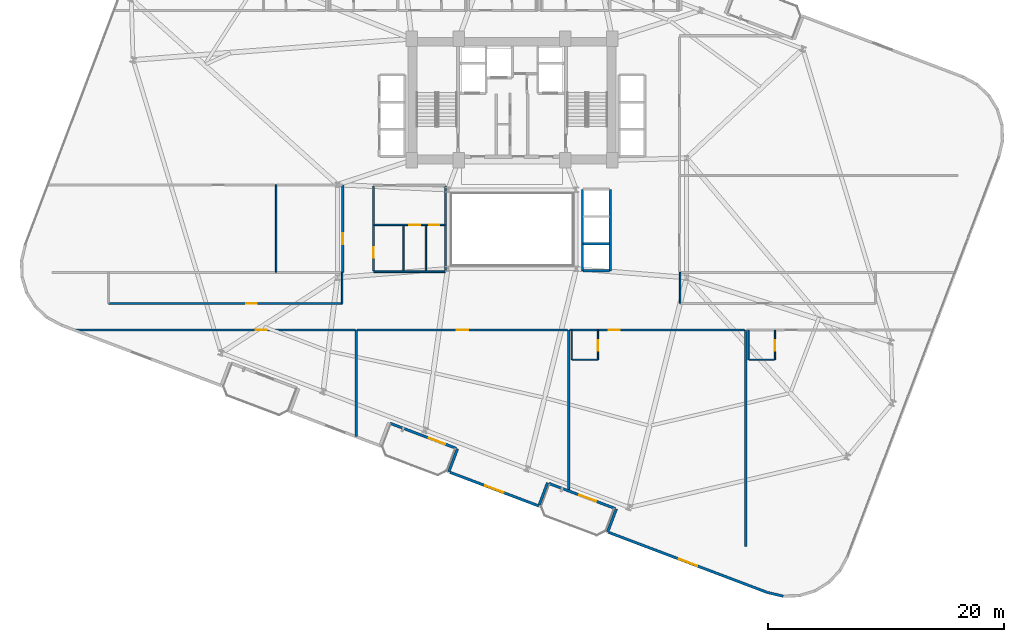
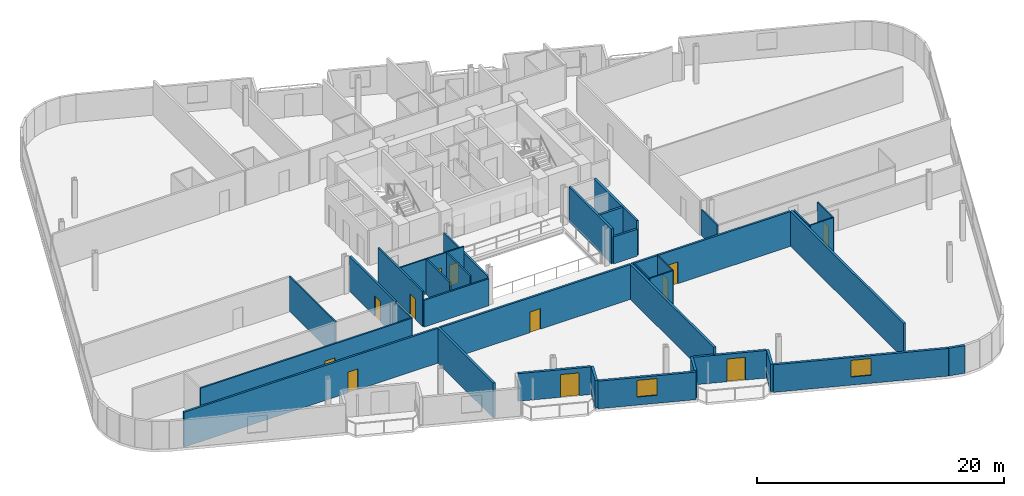
# One storey, part 17 of 24: 35 walls, 12 doors, 2 windows, 14 openings.
"""IFC4 building model written with IfcOpenShell, lengths in metres."""

from ifc_helpers import new_model, si_unit, direction, frame, frame_2d, origin, place, context, subcontext, project, spatial, rectangle, extrude, material, layer, layer_set, type_object, element, fill, save


model = new_model("IFC4")

# Units and contexts
model_context = context("Model", 3, precision=1e-05, world=origin(), true_north=direction((0.0, 1.0)))
body_context = subcontext(model_context, "Body", "Model", "MODEL_VIEW")
ifc_project = project(units=[si_unit("LENGTHUNIT", "METRE"), si_unit("AREAUNIT", "SQUARE_METRE"), si_unit("VOLUMEUNIT", "CUBIC_METRE"), si_unit("PLANEANGLEUNIT", "RADIAN"), si_unit("MASSUNIT", "GRAM", prefix="KILO")], contexts=[model_context])

# Site, building, storey
site_placement = place(None, origin())
site = spatial("IfcSite", under=ifc_project, at=site_placement, CompositionType="ELEMENT")
building_placement = place(site_placement, origin())
building = spatial("IfcBuilding", under=site, at=building_placement, Name="Varnelok Gate Tower", CompositionType="ELEMENT")
storey_placement = place(building_placement, frame((0.0, 0.0, 94.699951171875)))
storey = spatial("IfcBuildingStorey", under=building, at=storey_placement, Name="L23", CompositionType="ELEMENT", Elevation=94.699951171875)

# Wall, opening, door
ifc_material_1 = material(Name="Concrete C45/55", Category="concrete")
ifc_layer_1 = layer(ifc_material_1, 0.219970703125)
ifc_layer_set_1 = layer_set([ifc_layer_1], Name="Concrete C45/55")
wall_type_1 = type_object("IfcWallType", Name="EW-BALC-220", PredefinedType="SOLIDWALL", material=ifc_layer_set_1)
wall_1_placement = place(storey_placement, frame((34.4677734375, 4.326904296875, 0.0), z_axis=(0.0, 0.0, 1.0), x_axis=(-0.9352192676, 0.354069091436, 0.0)))
wall_1 = element("IfcWall", 1, at=wall_1_placement, inside=storey, type_object=wall_type_1, Name="L23 South Terrace Envelope Wall 2", PredefinedType="SOLIDWALL", context=body_context, shape_type="SweptSolid", body=[
    extrude(rectangle(XDim=6.000244140625, YDim=0.219970703125, at=frame_2d((3.0, 0.0))), origin(), (0.0, 0.0, 1.0), 2.72998046875),
])
opening_1_placement = place(wall_1_placement, frame((0.991943359375, 0.0, 0.0)))
opening_1 = element("IfcOpeningElement", 2, at=opening_1_placement, cuts=wall_1, Name="Opening BD-1", PredefinedType="OPENING", context=body_context, shape_type="SweptSolid", body=[
    extrude(rectangle(XDim=1.5, YDim=2.25, at=frame_2d((0.75, 1.125))), frame((0.0, 0.119873046875, 0.0), z_axis=(0.0, -1.0, 0.0), x_axis=(1.0, 0.0, 0.0)), (0.0, 0.0, 1.0), 0.239990234375),
])
ifc_material_2 = material(Name="Anodized Aluminum Alloy 6063-T6", Category="aluminium")
door_type_1 = type_object("IfcDoorType", Name="DR-EXT-BALC1500", OperationType="NOTDEFINED", PredefinedType="DOOR", material=ifc_material_2)
door_1_placement = place(opening_1_placement, origin())
door_1 = element("IfcDoor", 3, at=door_1_placement, inside=storey, type_object=door_type_1, Name="L23 South Balcony Glazed Door 2", OperationType="SINGLE_SWING_LEFT", OverallHeight=2.25, OverallWidth=1.5, PredefinedType="DOOR", context=body_context, shape_type="SweptSolid", body=[
    extrude(rectangle(XDim=1.5, YDim=2.25, at=frame_2d((0.75, 1.125))), frame((0.0, 0.02490234375, 0.0), z_axis=(0.0, -1.0, 0.0), x_axis=(1.0, 0.0, 0.0)), (0.0, 0.0, 1.0), 0.050048828125),
])
fill(opening_1, door_1)

wall_2_placement = place(storey_placement, frame((47.934814453125, -0.771484375, 0.0), z_axis=(0.0, 0.0, 1.0), x_axis=(-0.935227640088, 0.354046976001, 0.0)))
wall_2 = element("IfcWall", 4, at=wall_2_placement, inside=storey, type_object=wall_type_1, Name="L23 South Terrace Envelope Wall 3", PredefinedType="SOLIDWALL", context=body_context, shape_type="SweptSolid", body=[
    extrude(rectangle(XDim=6.0, YDim=0.219970703125, at=frame_2d((3.0, 0.0))), origin(), (0.0, 0.0, 1.0), 2.72998046875),
])
opening_2_placement = place(wall_2_placement, frame((1.73193359375, 0.0, 0.0)))
opening_2 = element("IfcOpeningElement", 5, at=opening_2_placement, cuts=wall_2, Name="Opening BD-1", PredefinedType="OPENING", context=body_context, shape_type="SweptSolid", body=[
    extrude(rectangle(XDim=1.5, YDim=2.25, at=frame_2d((0.75, 1.125))), frame((0.0, 0.119873046875, 0.0), z_axis=(0.0, -1.0, 0.0), x_axis=(1.0, 0.0, 0.0)), (0.0, 0.0, 1.0), 0.239990234375),
])
door_2_placement = place(opening_2_placement, origin())
door_2 = element("IfcDoor", 6, at=door_2_placement, inside=storey, type_object=door_type_1, Name="L23 South Balcony Glazed Door 3", OperationType="SINGLE_SWING_RIGHT", OverallHeight=2.25, OverallWidth=1.5, PredefinedType="DOOR", context=body_context, shape_type="SweptSolid", body=[
    extrude(rectangle(XDim=1.5, YDim=2.25, at=frame_2d((0.75, 1.125))), frame((0.0, 0.02490234375, 0.0), z_axis=(0.0, -1.0, 0.0), x_axis=(1.0, 0.0, 0.0)), (0.0, 0.0, 1.0), 0.050048828125),
])
fill(opening_2, door_2)

# Wall
wall_3_placement = place(storey_placement, frame((34.58349609375, 4.293701171875, 0.0), z_axis=(0.0, 0.0, 1.0), x_axis=(-0.354128469405, -0.935196785258, 0.0)))
element("IfcWall", 7, at=wall_3_placement, inside=storey, type_object=wall_type_1, Name="L23 Perimeter Facade Closure Wall 12", PredefinedType="SOLIDWALL", context=body_context, shape_type="SweptSolid", body=[
    extrude(rectangle(XDim=2.099853515625, YDim=0.219970703125, at=frame_2d((1.0498046875, 0.0))), origin(), (0.0, 0.0, 1.0), 2.72998046875),
])

# Wall, opening, window
wall_4_placement = place(storey_placement, frame((33.956787109375, 2.28564453125, 0.0), z_axis=(0.0, 0.0, 1.0), x_axis=(0.935220736163, -0.354065212427, 0.0)))
wall_4 = element("IfcWall", 8, at=wall_4_placement, inside=storey, type_object=wall_type_1, Name="L23 Perimeter Facade Closure Wall 13", PredefinedType="SOLIDWALL", context=body_context, shape_type="SweptSolid", body=[
    extrude(rectangle(XDim=8.03515625, YDim=0.219970703125, at=frame_2d((4.017578125, 0.0))), origin(), (0.0, 0.0, 1.0), 2.72998046875),
])
opening_3_placement = place(wall_4_placement, frame((3.1923828125, 0.0, 0.800048828125)))
opening_3 = element("IfcOpeningElement", 9, at=opening_3_placement, cuts=wall_4, Name="Opening WN3", PredefinedType="OPENING", context=body_context, shape_type="SweptSolid", body=[
    extrude(rectangle(XDim=1.64990234375, YDim=1.64990234375, at=frame_2d((0.824951171875, 0.824951171875))), frame((0.0, 0.119873046875, 0.0), z_axis=(0.0, -1.0, 0.0), x_axis=(1.0, 0.0, 0.0)), (0.0, 0.0, 1.0), 0.239990234375),
])
ifc_material_3 = material(Name="Low-E Laminated Double Glazing IGU", Category="glass")
window_type = type_object("IfcWindowType", Name="WN-HTL-1650", PartitioningType="SINGLE_PANEL", PredefinedType="WINDOW", material=ifc_material_3)
window_1_placement = place(opening_3_placement, origin())
window_1 = element("IfcWindow", 10, at=window_1_placement, inside=storey, type_object=window_type, Name="L23 Perimeter Vision Window 13", OverallHeight=1.64990234375, OverallWidth=1.64990234375, PartitioningType="SINGLE_PANEL", PredefinedType="WINDOW", context=body_context, shape_type="SweptSolid", body=[
    extrude(rectangle(XDim=1.64990234375, YDim=1.64990234375, at=frame_2d((0.824951171875, 0.824951171875))), frame((0.0, 0.030029296875, 0.0), z_axis=(0.0, -1.0, 0.0), x_axis=(1.0, 0.0, 0.0)), (0.0, 0.0, 1.0), 0.06005859375),
])
fill(opening_3, window_1)

# Walls
wall_5_placement = place(storey_placement, frame((41.515625, -0.4423828125, 0.0), z_axis=(0.0, 0.0, 1.0), x_axis=(0.354061611705, 0.935222099352, 0.0)))
element("IfcWall", 11, at=wall_5_placement, inside=storey, type_object=wall_type_1, Name="L23 Perimeter Facade Closure Wall 14", PredefinedType="SOLIDWALL", context=body_context, shape_type="SweptSolid", body=[
    extrude(rectangle(XDim=1.974853515625, YDim=0.219970703125, at=frame_2d((0.9873046875, 0.0))), origin(), (0.0, 0.0, 1.0), 2.72998046875),
])
wall_6_placement = place(storey_placement, frame((48.050537109375, -0.8046875, 0.0), z_axis=(0.0, 0.0, 1.0), x_axis=(-0.353988291547, -0.935249854022, 0.0)))
element("IfcWall", 12, at=wall_6_placement, inside=storey, type_object=wall_type_1, Name="L23 Perimeter Facade Closure Wall 15", PredefinedType="SOLIDWALL", context=body_context, shape_type="SweptSolid", body=[
    extrude(rectangle(XDim=2.10009765625, YDim=0.219970703125, at=frame_2d((1.050048828125, 0.0))), origin(), (0.0, 0.0, 1.0), 2.72998046875),
])

# Wall, opening, window
wall_7_placement = place(storey_placement, frame((47.424072265625, -2.81298828125, 0.0), z_axis=(0.0, 0.0, 1.0), x_axis=(0.935225962032, -0.354051408614, 0.0)))
wall_7 = element("IfcWall", 13, at=wall_7_placement, inside=storey, type_object=wall_type_1, Name="L23 Perimeter Facade Closure Wall 16", PredefinedType="SOLIDWALL", context=body_context, shape_type="SweptSolid", body=[
    extrude(rectangle(XDim=14.346923828125, YDim=0.219970703125, at=frame_2d((7.17333984375, 0.0))), origin(), (0.0, 0.0, 1.0), 2.72998046875),
])
opening_4_placement = place(wall_7_placement, frame((6.348388671875, 0.0, 0.800048828125)))
opening_4 = element("IfcOpeningElement", 14, at=opening_4_placement, cuts=wall_7, Name="Opening WN3", PredefinedType="OPENING", context=body_context, shape_type="SweptSolid", body=[
    extrude(rectangle(XDim=1.64990234375, YDim=1.64990234375, at=frame_2d((0.824951171875, 0.824951171875))), frame((0.0, 0.119873046875, 0.0), z_axis=(0.0, -1.0, 0.0), x_axis=(1.0, 0.0, 0.0)), (0.0, 0.0, 1.0), 0.239990234375),
])
window_2_placement = place(opening_4_placement, origin())
window_2 = element("IfcWindow", 15, at=window_2_placement, inside=storey, type_object=window_type, Name="L23 Perimeter Vision Window 16", OverallHeight=1.64990234375, OverallWidth=1.64990234375, PartitioningType="SINGLE_PANEL", PredefinedType="WINDOW", context=body_context, shape_type="SweptSolid", body=[
    extrude(rectangle(XDim=1.64990234375, YDim=1.64990234375, at=frame_2d((0.824951171875, 0.824951171875))), frame((0.0, 0.030029296875, 0.0), z_axis=(0.0, -1.0, 0.0), x_axis=(1.0, 0.0, 0.0)), (0.0, 0.0, 1.0), 0.06005859375),
])
fill(opening_4, window_2)

# Wall
wall_8_placement = place(storey_placement, frame((60.8662109375, -7.8984375, 0.0), z_axis=(0.0, 0.0, 1.0), x_axis=(0.973405403345, -0.229089329169, 0.0)))
element("IfcWall", 16, at=wall_8_placement, inside=storey, type_object=wall_type_1, Name="L23 Perimeter Facade Closure Wall 17", PredefinedType="SOLIDWALL", context=body_context, shape_type="SweptSolid", body=[
    extrude(rectangle(XDim=1.36083984375, YDim=0.219970703125, at=frame_2d((0.680419921875, 0.0))), origin(), (0.0, 0.0, 1.0), 2.72998046875),
])

# Wall, opening, door
ifc_material_4 = material(Name="Gypsum Plasterboard Acoustic Partition", Category="gypsum")
ifc_layer_2 = layer(ifc_material_4, 0.179931640625)
ifc_layer_set_2 = layer_set([ifc_layer_2], Name="Gypsum Plasterboard Acoustic Partition")
wall_type_2 = type_object("IfcWallType", Name="PW-CORR-180", PredefinedType="PARTITIONING", material=ifc_layer_set_2)
wall_9_placement = place(storey_placement, frame((2.146240234375, 14.35009765625, 0.0), z_axis=(0.0, 0.0, 1.0), x_axis=(1.0, 0.0, 0.0)))
wall_9 = element("IfcWall", 17, at=wall_9_placement, inside=storey, type_object=wall_type_2, Name="Interior Partition", PredefinedType="PARTITIONING", context=body_context, shape_type="SweptSolid", body=[
    extrude(rectangle(XDim=23.773681640625, YDim=0.179931640625, at=frame_2d((11.88671875, 0.0))), origin(), (0.0, 0.0, 1.0), 3.449951171875),
])
opening_5_placement = place(wall_9_placement, frame((15.32861328125, 0.0, 0.0)))
opening_5 = element("IfcOpeningElement", 18, at=opening_5_placement, cuts=wall_9, Name="Opening D-I2", PredefinedType="OPENING", context=body_context, shape_type="SweptSolid", body=[
    extrude(rectangle(XDim=0.949951171875, YDim=2.050048828125, at=frame_2d((0.47509765625, 1.02490234375))), frame((0.0, 0.099853515625, 0.0), z_axis=(0.0, -1.0, 0.0), x_axis=(1.0, 0.0, 0.0)), (0.0, 0.0, 1.0), 0.199951171875),
])
ifc_material_5 = material(Name="Engineered Hardwood Timber", Category="wood")
door_type_2 = type_object("IfcDoorType", Name="DR-INT-950", OperationType="NOTDEFINED", PredefinedType="DOOR", material=ifc_material_5)
door_3_placement = place(opening_5_placement, origin())
door_3 = element("IfcDoor", 19, at=door_3_placement, inside=storey, type_object=door_type_2, Name="L23 Hotel Business Center Door", OperationType="SINGLE_SWING_LEFT", OverallHeight=2.050048828125, OverallWidth=0.949951171875, PredefinedType="DOOR", context=body_context, shape_type="SweptSolid", body=[
    extrude(rectangle(XDim=0.949951171875, YDim=2.050048828125, at=frame_2d((0.47509765625, 1.02490234375))), frame((0.0, 0.02490234375, 0.0), z_axis=(0.0, -1.0, 0.0), x_axis=(1.0, 0.0, 0.0)), (0.0, 0.0, 1.0), 0.050048828125),
])
fill(opening_5, door_3)

wall_10_placement = place(storey_placement, frame((26.080078125, 14.35009765625, 0.0), z_axis=(0.0, 0.0, 1.0), x_axis=(1.0, 0.0, 0.0)))
wall_10 = element("IfcWall", 20, at=wall_10_placement, inside=storey, type_object=wall_type_2, Name="Interior Partition", PredefinedType="PARTITIONING", context=body_context, shape_type="SweptSolid", body=[
    extrude(rectangle(XDim=17.83984375, YDim=0.179931640625, at=frame_2d((8.919921875, 0.0))), origin(), (0.0, 0.0, 1.0), 3.449951171875),
])
opening_6_placement = place(wall_10_placement, frame((8.445068359375, 0.0, 0.0)))
opening_6 = element("IfcOpeningElement", 21, at=opening_6_placement, cuts=wall_10, Name="Opening D-I2", PredefinedType="OPENING", context=body_context, shape_type="SweptSolid", body=[
    extrude(rectangle(XDim=0.949951171875, YDim=2.050048828125, at=frame_2d((0.47509765625, 1.02490234375))), frame((0.0, 0.099853515625, 0.0), z_axis=(0.0, -1.0, 0.0), x_axis=(1.0, 0.0, 0.0)), (0.0, 0.0, 1.0), 0.199951171875),
])
door_4_placement = place(opening_6_placement, origin())
door_4 = element("IfcDoor", 22, at=door_4_placement, inside=storey, type_object=door_type_2, Name="L23 Executive Business Office 1 Door", OperationType="SINGLE_SWING_LEFT", OverallHeight=2.050048828125, OverallWidth=0.949951171875, PredefinedType="DOOR", context=body_context, shape_type="SweptSolid", body=[
    extrude(rectangle(XDim=0.949951171875, YDim=2.050048828125, at=frame_2d((0.47509765625, 1.02490234375))), frame((0.0, 0.02490234375, 0.0), z_axis=(0.0, -1.0, 0.0), x_axis=(1.0, 0.0, 0.0)), (0.0, 0.0, 1.0), 0.050048828125),
])
fill(opening_6, door_4)

wall_11_placement = place(storey_placement, frame((44.080078125, 14.35009765625, 0.0), z_axis=(0.0, 0.0, 1.0), x_axis=(1.0, 0.0, 0.0)))
wall_11 = element("IfcWall", 23, at=wall_11_placement, inside=storey, type_object=wall_type_2, Name="Interior Partition", PredefinedType="PARTITIONING", context=body_context, shape_type="SweptSolid", body=[
    extrude(rectangle(XDim=14.83984375, YDim=0.179931640625, at=frame_2d((7.419921875, 0.0))), origin(), (0.0, 0.0, 1.0), 3.449951171875),
])
opening_7_placement = place(wall_11_placement, frame((3.323486328125, 0.0, 0.0)))
opening_7 = element("IfcOpeningElement", 24, at=opening_7_placement, cuts=wall_11, Name="Opening D-HT", PredefinedType="OPENING", context=body_context, shape_type="SweptSolid", body=[
    extrude(rectangle(XDim=0.949951171875, YDim=2.14990234375, at=frame_2d((0.47509765625, 1.074951171875))), frame((0.0, 0.099853515625, 0.0), z_axis=(0.0, -1.0, 0.0), x_axis=(1.0, 0.0, 0.0)), (0.0, 0.0, 1.0), 0.199951171875),
])
door_type_3 = type_object("IfcDoorType", Name="DR-HTL-950", OperationType="NOTDEFINED", PredefinedType="DOOR", material=ifc_material_5)
door_5_placement = place(opening_7_placement, origin())
door_5 = element("IfcDoor", 25, at=door_5_placement, inside=storey, type_object=door_type_3, Name="L23 Guest Room 03 Entrance Door", OperationType="SINGLE_SWING_RIGHT", OverallHeight=2.14990234375, OverallWidth=0.949951171875, PredefinedType="DOOR", context=body_context, shape_type="SweptSolid", body=[
    extrude(rectangle(XDim=0.949951171875, YDim=2.14990234375, at=frame_2d((0.47509765625, 1.074951171875))), frame((0.0, 0.02490234375, 0.0), z_axis=(0.0, -1.0, 0.0), x_axis=(1.0, 0.0, 0.0)), (0.0, 0.0, 1.0), 0.050048828125),
])
fill(opening_7, door_5)

wall_12_placement = place(storey_placement, frame((24.85009765625, 19.239990234375, 0.0), z_axis=(0.0, 0.0, 1.0), x_axis=(0.0, 1.0, 0.0)))
wall_12 = element("IfcWall", 26, at=wall_12_placement, inside=storey, type_object=wall_type_2, Name="Interior Partition", PredefinedType="PARTITIONING", context=body_context, shape_type="SweptSolid", body=[
    extrude(rectangle(XDim=7.419921875, YDim=0.179931640625, at=frame_2d((3.7099609375, 0.0))), origin(), (0.0, 0.0, 1.0), 3.449951171875),
])
opening_8_placement = place(wall_12_placement, frame((2.39990234375, 0.0, 0.0)))
opening_8 = element("IfcOpeningElement", 27, at=opening_8_placement, cuts=wall_12, Name="Opening D-I3", PredefinedType="OPENING", context=body_context, shape_type="SweptSolid", body=[
    extrude(rectangle(XDim=0.919921875, YDim=2.050048828125, at=frame_2d((0.4599609375, 1.02490234375))), frame((0.0, 0.099853515625, 0.0), z_axis=(0.0, -1.0, 0.0), x_axis=(1.0, 0.0, 0.0)), (0.0, 0.0, 1.0), 0.199951171875),
])
door_type_4 = type_object("IfcDoorType", Name="DR-INT-920", OperationType="NOTDEFINED", PredefinedType="DOOR", material=ifc_material_5)
door_6_placement = place(opening_8_placement, origin())
door_6 = element("IfcDoor", 28, at=door_6_placement, inside=storey, type_object=door_type_4, Name="L23 West Playroom Door", OperationType="SINGLE_SWING_LEFT", OverallHeight=2.050048828125, OverallWidth=0.919921875, PredefinedType="DOOR", context=body_context, shape_type="SweptSolid", body=[
    extrude(rectangle(XDim=0.919921875, YDim=2.050048828125, at=frame_2d((0.4599609375, 1.02490234375))), frame((0.0, 0.02490234375, 0.0), z_axis=(0.0, -1.0, 0.0), x_axis=(1.0, 0.0, 0.0)), (0.0, 0.0, 1.0), 0.050048828125),
])
fill(opening_8, door_6)

# Wall
ifc_layer_3 = layer(ifc_material_4, 0.114990234375)
ifc_layer_set_3 = layer_set([ifc_layer_3], Name="Gypsum Plasterboard Acoustic Partition")
wall_type_3 = type_object("IfcWallType", Name="PW-ENS-125", PredefinedType="PARTITIONING", material=ifc_layer_set_3)
wall_13_placement = place(storey_placement, frame((44.300048828125, 11.830078125, 0.0), z_axis=(0.0, 0.0, 1.0), x_axis=(1.0, 0.0, 0.0)))
element("IfcWall", 29, at=wall_13_placement, inside=storey, type_object=wall_type_3, Name="Interior Partition", PredefinedType="PARTITIONING", context=body_context, shape_type="SweptSolid", body=[
    extrude(rectangle(XDim=2.14990234375, YDim=0.114990234375, at=frame_2d((1.074951171875, 0.0))), origin(), (0.0, 0.0, 1.0), 3.449951171875),
])

# Wall, opening, door
wall_14_placement = place(storey_placement, frame((46.489990234375, 11.830078125, 0.0), z_axis=(0.0, 0.0, 1.0), x_axis=(0.0, 1.0, 0.0)))
wall_14 = element("IfcWall", 30, at=wall_14_placement, inside=storey, type_object=wall_type_3, Name="Interior Partition", PredefinedType="PARTITIONING", context=body_context, shape_type="SweptSolid", body=[
    extrude(rectangle(XDim=2.52001953125, YDim=0.114990234375, at=frame_2d((1.260009765625, 0.0))), origin(), (0.0, 0.0, 1.0), 3.449951171875),
])
opening_9_placement = place(wall_14_placement, frame((0.760009765625, 0.0, 0.0)))
opening_9 = element("IfcOpeningElement", 31, at=opening_9_placement, cuts=wall_14, Name="Opening D-WC", PredefinedType="OPENING", context=body_context, shape_type="SweptSolid", body=[
    extrude(rectangle(XDim=0.89990234375, YDim=2.050048828125, at=frame_2d((0.449951171875, 1.02490234375))), frame((0.0, 0.0673828125, 0.0), z_axis=(0.0, -1.0, 0.0), x_axis=(1.0, 0.0, 0.0)), (0.0, 0.0, 1.0), 0.135009765625),
])
door_type_5 = type_object("IfcDoorType", Name="DR-BATH-900", OperationType="NOTDEFINED", PredefinedType="DOOR", material=ifc_material_5)
door_7_placement = place(opening_9_placement, origin())
door_7 = element("IfcDoor", 32, at=door_7_placement, inside=storey, type_object=door_type_5, Name="L23 Guest En-Suite 03 Door", OperationType="SINGLE_SWING_LEFT", OverallHeight=2.050048828125, OverallWidth=0.89990234375, PredefinedType="DOOR", context=body_context, shape_type="SweptSolid", body=[
    extrude(rectangle(XDim=0.89990234375, YDim=2.050048828125, at=frame_2d((0.449951171875, 1.02490234375))), frame((0.0, 0.02490234375, 0.0), z_axis=(0.0, -1.0, 0.0), x_axis=(1.0, 0.0, 0.0)), (0.0, 0.0, 1.0), 0.050048828125),
])
fill(opening_9, door_7)

# Walls
wall_15_placement = place(storey_placement, frame((44.260009765625, 11.830078125, 0.0), z_axis=(0.0, 0.0, 1.0), x_axis=(0.0, 1.0, 0.0)))
element("IfcWall", 33, at=wall_15_placement, inside=storey, type_object=wall_type_3, Name="Interior Partition", PredefinedType="PARTITIONING", context=body_context, shape_type="SweptSolid", body=[
    extrude(rectangle(XDim=2.52001953125, YDim=0.114990234375, at=frame_2d((1.260009765625, 0.0))), origin(), (0.0, 0.0, 1.0), 3.449951171875),
])
wall_16_placement = place(storey_placement, frame((59.300048828125, 11.830078125, 0.0), z_axis=(0.0, 0.0, 1.0), x_axis=(1.0, 0.0, 0.0)))
element("IfcWall", 34, at=wall_16_placement, inside=storey, type_object=wall_type_3, Name="Interior Partition", PredefinedType="PARTITIONING", context=body_context, shape_type="SweptSolid", body=[
    extrude(rectangle(XDim=2.14990234375, YDim=0.114990234375, at=frame_2d((1.074951171875, 0.0))), origin(), (0.0, 0.0, 1.0), 3.449951171875),
])

# Wall, opening, door
wall_17_placement = place(storey_placement, frame((61.489990234375, 11.830078125, 0.0), z_axis=(0.0, 0.0, 1.0), x_axis=(0.0, 1.0, 0.0)))
wall_17 = element("IfcWall", 35, at=wall_17_placement, inside=storey, type_object=wall_type_3, Name="Interior Partition", PredefinedType="PARTITIONING", context=body_context, shape_type="SweptSolid", body=[
    extrude(rectangle(XDim=2.52001953125, YDim=0.114990234375, at=frame_2d((1.260009765625, 0.0))), origin(), (0.0, 0.0, 1.0), 3.449951171875),
])
opening_10_placement = place(wall_17_placement, frame((0.760009765625, 0.0, 0.0)))
opening_10 = element("IfcOpeningElement", 36, at=opening_10_placement, cuts=wall_17, Name="Opening D-WC", PredefinedType="OPENING", context=body_context, shape_type="SweptSolid", body=[
    extrude(rectangle(XDim=0.89990234375, YDim=2.050048828125, at=frame_2d((0.449951171875, 1.02490234375))), frame((0.0, 0.0673828125, 0.0), z_axis=(0.0, -1.0, 0.0), x_axis=(1.0, 0.0, 0.0)), (0.0, 0.0, 1.0), 0.135009765625),
])
door_8_placement = place(opening_10_placement, origin())
door_8 = element("IfcDoor", 37, at=door_8_placement, inside=storey, type_object=door_type_5, Name="L23 Guest En-Suite 04 Door", OperationType="SINGLE_SWING_LEFT", OverallHeight=2.050048828125, OverallWidth=0.89990234375, PredefinedType="DOOR", context=body_context, shape_type="SweptSolid", body=[
    extrude(rectangle(XDim=0.89990234375, YDim=2.050048828125, at=frame_2d((0.449951171875, 1.02490234375))), frame((0.0, 0.02490234375, 0.0), z_axis=(0.0, -1.0, 0.0), x_axis=(1.0, 0.0, 0.0)), (0.0, 0.0, 1.0), 0.050048828125),
])
fill(opening_10, door_8)

# Walls
wall_18_placement = place(storey_placement, frame((59.260009765625, 11.830078125, 0.0), z_axis=(0.0, 0.0, 1.0), x_axis=(0.0, 1.0, 0.0)))
element("IfcWall", 38, at=wall_18_placement, inside=storey, type_object=wall_type_3, Name="Interior Partition", PredefinedType="PARTITIONING", context=body_context, shape_type="SweptSolid", body=[
    extrude(rectangle(XDim=2.52001953125, YDim=0.114990234375, at=frame_2d((1.260009765625, 0.0))), origin(), (0.0, 0.0, 1.0), 3.449951171875),
])
ifc_layer_4 = layer(ifc_material_4, 0.125)
ifc_layer_set_4 = layer_set([ifc_layer_4], Name="Gypsum Plasterboard Acoustic Partition")
wall_type_4 = type_object("IfcWallType", Name="PW-PART-125", PredefinedType="PARTITIONING", material=ifc_layer_set_4)
wall_19_placement = place(storey_placement, frame((24.800048828125, 16.610107421875, 0.0), z_axis=(0.0, 0.0, 1.0), x_axis=(0.0, 1.0, 0.0)))
element("IfcWall", 39, at=wall_19_placement, inside=storey, type_object=wall_type_4, Name="Interior Partition", PredefinedType="PARTITIONING", context=body_context, shape_type="SweptSolid", body=[
    extrude(rectangle(XDim=2.6298828125, YDim=0.125, at=frame_2d((1.31494140625, 0.0))), origin(), (0.0, 0.0, 1.0), 3.449951171875),
])
wall_20_placement = place(storey_placement, frame((53.449951171875, 16.610107421875, 0.0), z_axis=(0.0, 0.0, 1.0), x_axis=(0.0, 1.0, 0.0)))
element("IfcWall", 40, at=wall_20_placement, inside=storey, type_object=wall_type_4, Name="Interior Partition", PredefinedType="PARTITIONING", context=body_context, shape_type="SweptSolid", body=[
    extrude(rectangle(XDim=2.6298828125, YDim=0.125, at=frame_2d((1.31494140625, 0.0))), origin(), (0.0, 0.0, 1.0), 2.580078125),
])
wall_21_placement = place(storey_placement, frame((19.199951171875, 19.239990234375, 0.0), z_axis=(0.0, 0.0, 1.0), x_axis=(0.0, 1.0, 0.0)))
element("IfcWall", 41, at=wall_21_placement, inside=storey, type_object=wall_type_4, Name="Interior Partition", PredefinedType="PARTITIONING", context=body_context, shape_type="SweptSolid", body=[
    extrude(rectangle(XDim=7.419921875, YDim=0.125, at=frame_2d((3.7099609375, 0.0))), origin(), (0.0, 0.0, 1.0), 3.449951171875),
])

# Wall, openings, doors
wall_22_placement = place(storey_placement, frame((27.52001953125, 23.27001953125, 0.0), z_axis=(0.0, 0.0, 1.0), x_axis=(1.0, 0.0, 0.0)))
wall_22 = element("IfcWall", 42, at=wall_22_placement, inside=storey, type_object=wall_type_4, Name="Interior Partition", PredefinedType="PARTITIONING", context=body_context, shape_type="SweptSolid", body=[
    extrude(rectangle(XDim=6.0, YDim=0.125, at=frame_2d((3.0, 0.0))), origin(), (0.0, 0.0, 1.0), 3.449951171875),
])
opening_11_placement = place(wall_22_placement, frame((2.981689453125, 0.0, 0.0)))
opening_11 = element("IfcOpeningElement", 43, at=opening_11_placement, cuts=wall_22, Name="Opening D-I4", PredefinedType="OPENING", context=body_context, shape_type="SweptSolid", body=[
    extrude(rectangle(XDim=0.89990234375, YDim=2.050048828125, at=frame_2d((0.449951171875, 1.02490234375))), frame((0.0, 0.072509765625, 0.0), z_axis=(0.0, -1.0, 0.0), x_axis=(1.0, 0.0, 0.0)), (0.0, 0.0, 1.0), 0.14501953125),
])
opening_12_placement = place(wall_22_placement, frame((4.64990234375, 0.0, 0.0)))
opening_12 = element("IfcOpeningElement", 44, at=opening_12_placement, cuts=wall_22, Name="Opening D-RS", PredefinedType="OPENING", context=body_context, shape_type="SweptSolid", body=[
    extrude(rectangle(XDim=0.85009765625, YDim=2.050048828125, at=frame_2d((0.425048828125, 1.02490234375))), frame((0.0, 0.072509765625, 0.0), z_axis=(0.0, -1.0, 0.0), x_axis=(1.0, 0.0, 0.0)), (0.0, 0.0, 1.0), 0.14501953125),
])
door_type_6 = type_object("IfcDoorType", Name="DR-INT-900", OperationType="NOTDEFINED", PredefinedType="DOOR", material=ifc_material_5)
door_9_placement = place(opening_11_placement, origin())
door_9 = element("IfcDoor", 45, at=door_9_placement, inside=storey, type_object=door_type_6, Name="L23 Trolley Room Door", OperationType="SINGLE_SWING_LEFT", OverallHeight=2.050048828125, OverallWidth=0.89990234375, PredefinedType="DOOR", context=body_context, shape_type="SweptSolid", body=[
    extrude(rectangle(XDim=0.89990234375, YDim=2.050048828125, at=frame_2d((0.449951171875, 1.02490234375))), frame((0.0, 0.02490234375, 0.0), z_axis=(0.0, -1.0, 0.0), x_axis=(1.0, 0.0, 0.0)), (0.0, 0.0, 1.0), 0.050048828125),
])
fill(opening_11, door_9)
ifc_material_6 = material(Name="Galvanized Steel Grade S350GD", Category="steel")
door_type_7 = type_object("IfcDoorType", Name="DR-RISER-850", OperationType="NOTDEFINED", PredefinedType="DOOR", material=ifc_material_6)
door_10_placement = place(opening_12_placement, origin())
door_10 = element("IfcDoor", 46, at=door_10_placement, inside=storey, type_object=door_type_7, Name="L23 Janitor Sink Door", OperationType="SINGLE_SWING_RIGHT", OverallHeight=2.050048828125, OverallWidth=0.85009765625, PredefinedType="DOOR", context=body_context, shape_type="SweptSolid", body=[
    extrude(rectangle(XDim=0.85009765625, YDim=2.050048828125, at=frame_2d((0.425048828125, 1.02490234375))), frame((0.0, 0.02490234375, 0.0), z_axis=(0.0, -1.0, 0.0), x_axis=(1.0, 0.0, 0.0)), (0.0, 0.0, 1.0), 0.050048828125),
])
fill(opening_12, door_10)

# Walls
for number, where, z_axis, x_axis, name in (
    (47, (30.0, 19.3798828125, 0.0), (0.0, 0.0, 1.0), (0.0, 1.0, 0.0), "Interior Partition"),
    (48, (31.89990234375, 19.3798828125, 0.0), (0.0, 0.0, 1.0), (0.0, 1.0, 0.0), "Interior Partition"),
):
    element("IfcWall", number, at=place(storey_placement, frame(where, z_axis=z_axis, x_axis=x_axis)), inside=storey, type_object=wall_type_4, Name=name, PredefinedType="PARTITIONING", context=body_context, shape_type="SweptSolid", body=[
        extrude(rectangle(XDim=3.820068359375, YDim=0.125, at=frame_2d((1.91015625, 0.0))), origin(), (0.0, 0.0, 1.0), 3.449951171875),
    ])

# Wall, opening, door
ifc_layer_5 = layer(ifc_material_4, 0.14990234375)
ifc_layer_set_5 = layer_set([ifc_layer_5], Name="Gypsum Plasterboard Acoustic Partition")
wall_type_5 = type_object("IfcWallType", Name="PW-PART-150", PredefinedType="PARTITIONING", material=ifc_layer_set_5)
wall_23_placement = place(storey_placement, frame((5.0, 16.610107421875, 0.0), z_axis=(0.0, 0.0, 1.0), x_axis=(1.0, 0.0, 0.0)))
wall_23 = element("IfcWall", 49, at=wall_23_placement, inside=storey, type_object=wall_type_5, Name="Interior Partition", PredefinedType="PARTITIONING", context=body_context, shape_type="SweptSolid", body=[
    extrude(rectangle(XDim=19.800048828125, YDim=0.14990234375, at=frame_2d((9.89990234375, 0.0))), origin(), (0.0, 0.0, 1.0), 3.449951171875),
])
opening_13_placement = place(wall_23_placement, frame((11.659912109375, 0.0, 0.0)))
opening_13 = element("IfcOpeningElement", 50, at=opening_13_placement, cuts=wall_23, Name="Opening D-I3", PredefinedType="OPENING", context=body_context, shape_type="SweptSolid", body=[
    extrude(rectangle(XDim=0.919921875, YDim=2.050048828125, at=frame_2d((0.4599609375, 1.02490234375))), frame((0.0, 0.0849609375, 0.0), z_axis=(0.0, -1.0, 0.0), x_axis=(1.0, 0.0, 0.0)), (0.0, 0.0, 1.0), 0.169921875),
])
door_11_placement = place(opening_13_placement, origin())
door_11 = element("IfcDoor", 51, at=door_11_placement, inside=storey, type_object=door_type_4, Name="L23 Atrium Room 1 Door", OperationType="SINGLE_SWING_LEFT", OverallHeight=2.050048828125, OverallWidth=0.919921875, PredefinedType="DOOR", context=body_context, shape_type="SweptSolid", body=[
    extrude(rectangle(XDim=0.919921875, YDim=2.050048828125, at=frame_2d((0.4599609375, 1.02490234375))), frame((0.0, 0.02490234375, 0.0), z_axis=(0.0, -1.0, 0.0), x_axis=(1.0, 0.0, 0.0)), (0.0, 0.0, 1.0), 0.050048828125),
])
fill(opening_13, door_11)

# Wall
wall_24_placement = place(storey_placement, frame((27.4599609375, 19.300048828125, 0.0), z_axis=(0.0, 0.0, 1.0), x_axis=(1.0, 0.0, 0.0)))
element("IfcWall", 52, at=wall_24_placement, inside=storey, type_object=wall_type_5, Name="Interior Partition", PredefinedType="PARTITIONING", context=body_context, shape_type="SweptSolid", body=[
    extrude(rectangle(XDim=6.10009765625, YDim=0.14990234375, at=frame_2d((3.050048828125, 0.0))), origin(), (0.0, 0.0, 1.0), 2.662109375),
])

# Wall, opening, door
wall_25_placement = place(storey_placement, frame((27.4599609375, 19.3798828125, 0.0), z_axis=(0.0, 0.0, 1.0), x_axis=(0.0, 1.0, 0.0)))
wall_25 = element("IfcWall", 53, at=wall_25_placement, inside=storey, type_object=wall_type_5, Name="Interior Partition", PredefinedType="PARTITIONING", context=body_context, shape_type="SweptSolid", body=[
    extrude(rectangle(XDim=7.16015625, YDim=0.14990234375, at=frame_2d((3.580078125, 0.0))), origin(), (0.0, 0.0, 1.0), 3.449951171875),
])
opening_14_placement = place(wall_25_placement, frame((1.10009765625, 0.0, 0.0)))
opening_14 = element("IfcOpeningElement", 54, at=opening_14_placement, cuts=wall_25, Name="Opening D-WC", PredefinedType="OPENING", context=body_context, shape_type="SweptSolid", body=[
    extrude(rectangle(XDim=0.89990234375, YDim=2.050048828125, at=frame_2d((0.449951171875, 1.02490234375))), frame((0.0, 0.0849609375, 0.0), z_axis=(0.0, -1.0, 0.0), x_axis=(1.0, 0.0, 0.0)), (0.0, 0.0, 1.0), 0.169921875),
])
door_12_placement = place(opening_14_placement, origin())
door_12 = element("IfcDoor", 55, at=door_12_placement, inside=storey, type_object=door_type_5, Name="L23 Accessible Floor WC Door", OperationType="SINGLE_SWING_RIGHT", OverallHeight=2.050048828125, OverallWidth=0.89990234375, PredefinedType="DOOR", context=body_context, shape_type="SweptSolid", body=[
    extrude(rectangle(XDim=0.89990234375, YDim=2.050048828125, at=frame_2d((0.449951171875, 1.02490234375))), frame((0.0, 0.02490234375, 0.0), z_axis=(0.0, -1.0, 0.0), x_axis=(1.0, 0.0, 0.0)), (0.0, 0.0, 1.0), 0.050048828125),
])
fill(opening_14, door_12)

# Walls
wall_26_placement = place(storey_placement, frame((33.56005859375, 19.3798828125, 0.0), z_axis=(0.0, 0.0, 1.0), x_axis=(0.0, 1.0, 0.0)))
element("IfcWall", 56, at=wall_26_placement, inside=storey, type_object=wall_type_5, Name="Interior Partition", PredefinedType="PARTITIONING", context=body_context, shape_type="SweptSolid", body=[
    extrude(rectangle(XDim=7.16015625, YDim=0.14990234375, at=frame_2d((3.580078125, 0.0))), origin(), (0.0, 0.0, 1.0), 2.823974609375),
])
ifc_layer_6 = layer(ifc_material_4, 0.205078125)
ifc_layer_set_6 = layer_set([ifc_layer_6], Name="Gypsum Plasterboard Acoustic Partition")
wall_type_6 = type_object("IfcWallType", Name="PW-PARTY-200", PredefinedType="PARTITIONING", material=ifc_layer_set_6)
wall_27_placement = place(storey_placement, frame((26.0, 5.3193359375, 0.0), z_axis=(0.0, 0.0, 1.0), x_axis=(0.0, 1.0, 0.0)))
element("IfcWall", 57, at=wall_27_placement, inside=storey, type_object=wall_type_6, Name="L23 South Party Wall 1", PredefinedType="PARTITIONING", context=body_context, shape_type="SweptSolid", body=[
    extrude(rectangle(XDim=9.03076171875, YDim=0.205078125, at=frame_2d((4.515380859375, 0.0))), origin(), (0.0, 0.0, 1.0), 3.449951171875),
])
wall_28_placement = place(storey_placement, frame((44.0, 0.750244140625, 0.0), z_axis=(0.0, 0.0, 1.0), x_axis=(0.0, 1.0, 0.0)))
element("IfcWall", 58, at=wall_28_placement, inside=storey, type_object=wall_type_6, Name="L23 South Party Wall 2", PredefinedType="PARTITIONING", context=body_context, shape_type="SweptSolid", body=[
    extrude(rectangle(XDim=13.599853515625, YDim=0.205078125, at=frame_2d((6.7998046875, 0.0))), origin(), (0.0, 0.0, 1.0), 3.449951171875),
])
wall_29_placement = place(storey_placement, frame((59.0, -4.0, 0.0), z_axis=(0.0, 0.0, 1.0), x_axis=(0.0, 1.0, 0.0)))
element("IfcWall", 59, at=wall_29_placement, inside=storey, type_object=wall_type_6, Name="L23 South Party Wall 3", PredefinedType="PARTITIONING", context=body_context, shape_type="SweptSolid", body=[
    extrude(rectangle(XDim=18.35009765625, YDim=0.205078125, at=frame_2d((9.175048828125, 0.0))), origin(), (0.0, 0.0, 1.0), 3.449951171875),
])
ifc_material_7 = material(Name="Concrete C35/45", Category="concrete")
ifc_layer_7 = layer(ifc_material_7, 0.199951171875)
ifc_layer_set_7 = layer_set([ifc_layer_7], Name="Concrete C35/45")
wall_type_7 = type_object("IfcWallType", Name="PW-SHAFT-200", PredefinedType="PARTITIONING", material=ifc_layer_set_7)
wall_30_placement = place(storey_placement, frame((45.239990234375, 21.675048828125, 0.0), z_axis=(0.0, 0.0, 1.0), x_axis=(1.0, 0.0, 0.0)))
element("IfcWall", 60, at=wall_30_placement, inside=storey, type_object=wall_type_7, Name="L23 PH1 Divider", PredefinedType="PARTITIONING", context=body_context, shape_type="SweptSolid", body=[
    extrude(rectangle(XDim=2.219970703125, YDim=0.199951171875, at=frame_2d((1.10986328125, 0.0))), origin(), (0.0, 0.0, 1.0), 3.449951171875),
])
wall_31_placement = place(storey_placement, frame((45.239990234375, 19.3798828125, 0.0), z_axis=(0.0, 0.0, 1.0), x_axis=(1.0, 0.0, 0.0)))
element("IfcWall", 61, at=wall_31_placement, inside=storey, type_object=wall_type_7, Name="L23 PH Bank South Wall", PredefinedType="PARTITIONING", context=body_context, shape_type="SweptSolid", body=[
    extrude(rectangle(XDim=2.219970703125, YDim=0.199951171875, at=frame_2d((1.10986328125, 0.0))), origin(), (0.0, 0.0, 1.0), 2.662109375),
])
for number, where, z_axis, x_axis, name in (
    (62, (45.179931640625, 19.3798828125, 0.0), (0.0, 0.0, 1.0), (0.0, 1.0, 0.0), "L23 PH Bank Atrium Wall"),
    (63, (47.52001953125, 19.3798828125, 0.0), (0.0, 0.0, 1.0), (0.0, 1.0, 0.0), "L23 PH Bank Front Wall"),
):
    element("IfcWall", number, at=place(storey_placement, frame(where, z_axis=z_axis, x_axis=x_axis)), inside=storey, type_object=wall_type_7, Name=name, PredefinedType="PARTITIONING", context=body_context, shape_type="SweptSolid", body=[
        extrude(rectangle(XDim=6.900146484375, YDim=0.199951171875, at=frame_2d((3.4501953125, 0.0))), origin(), (0.0, 0.0, 1.0), 3.449951171875),
    ])

save(model, "model.ifc")
